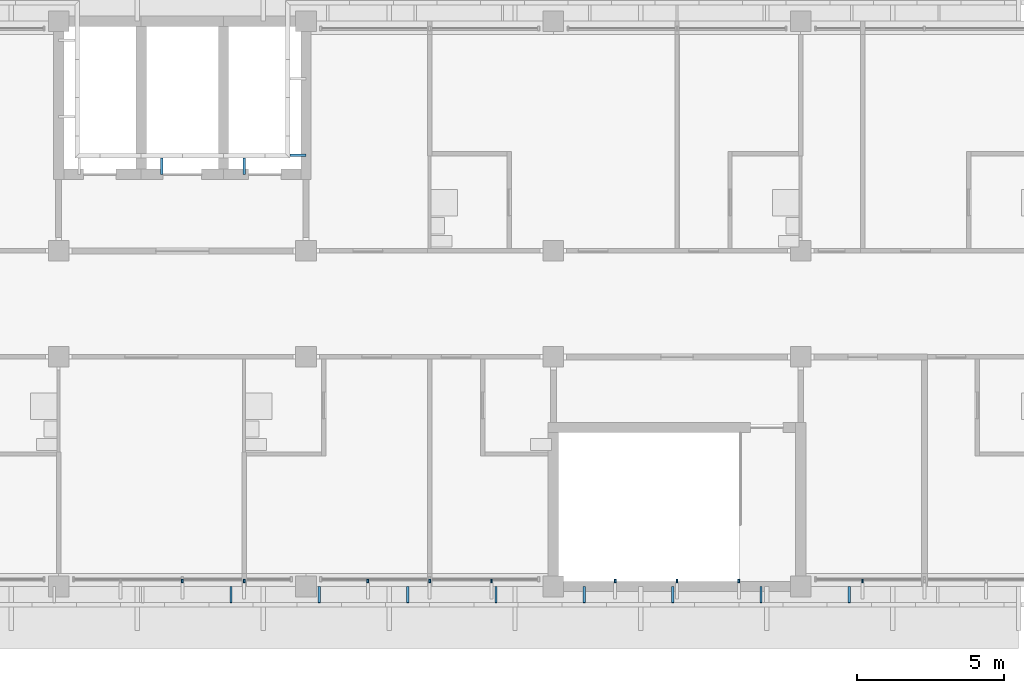
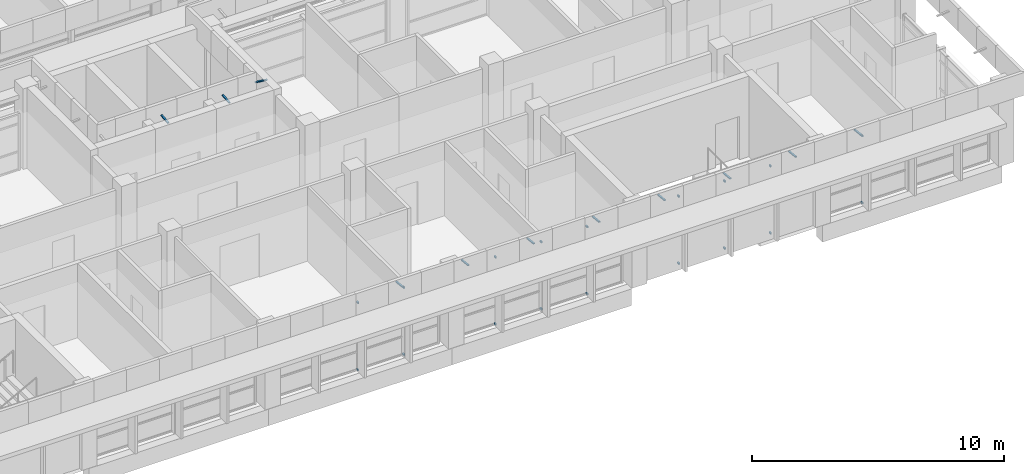
# One storey, part 53 of 71: 29 discrete accessories.
"""IFC4 building model written with IfcOpenShell, lengths in metres."""

from ifc_helpers import new_model, si_unit, direction, frame, origin, origin_2d, place, context, subcontext, project, spatial, rectangle, extrude, material, material_profile, profile_set, type_object, element, save


model = new_model("IFC4")

# Units and contexts
model_context = context("Model", 3, precision=1e-05, world=origin(), true_north=direction((0.0, 1.0)))
body_context = subcontext(model_context, "Body", "Model", "MODEL_VIEW")
ifc_project = project(units=[si_unit("LENGTHUNIT", "METRE"), si_unit("AREAUNIT", "SQUARE_METRE"), si_unit("VOLUMEUNIT", "CUBIC_METRE"), si_unit("PLANEANGLEUNIT", "RADIAN"), si_unit("MASSUNIT", "GRAM", prefix="KILO")], contexts=[model_context])

# Site, building, storey
site_placement = place(None, origin())
site = spatial("IfcSite", under=ifc_project, at=site_placement, CompositionType="ELEMENT")
building_placement = place(site_placement, origin())
building = spatial("IfcBuilding", under=site, at=building_placement, Name="Bougainvillea Quay General Hospital", CompositionType="ELEMENT")
storey_placement = place(building_placement, frame((0.0, 0.0, 24.89990234375)))
storey = spatial("IfcBuildingStorey", under=building, at=storey_placement, Name="L05", CompositionType="ELEMENT", Elevation=24.89990234375)

# Discrete accessories
ifc_material = material(Name="Stainless steel bracket, grade 316", Category="steel")
discrete_accessory_type_1 = type_object("IfcDiscreteAccessoryType", Name="Stainless steel fin arm 60x80", PredefinedType="BRACKET", material=ifc_material)
for number, where, z_axis, x_axis, name in (
    (1, (161.699951171875, 117.7900390625, 0.0), (0.0, 0.0, 1.0), (0.0, -1.0, 0.0), "Fin arm V5B L05 01.3B"),
    (2, (161.699951171875, 117.7900390625, 3.25), (0.0, 0.0, 1.0), (0.0, -1.0, 0.0), "Fin arm V5B L05 01.3T"),
    (3, (157.5, 117.7900390625, 0.0), (0.0, 0.0, 1.0), (0.0, -1.0, 0.0), "Fin arm V5B L05 01.4B"),
    (4, (157.5, 117.7900390625, 3.25), (0.0, 0.0, 1.0), (0.0, -1.0, 0.0), "Fin arm V5B L05 01.4T"),
    (5, (155.39990234375, 117.7900390625, 0.0), (0.0, 0.0, 1.0), (0.0, -1.0, 0.0), "Fin arm V5B L05 01.5B"),
    (6, (155.39990234375, 117.7900390625, 3.25), (0.0, 0.0, 1.0), (0.0, -1.0, 0.0), "Fin arm V5B L05 01.5T"),
    (7, (153.300048828125, 117.7900390625, 0.0), (0.0, 0.0, 1.0), (0.0, -1.0, 0.0), "Fin arm V5B L05 01.6B"),
    (8, (153.300048828125, 117.7900390625, 3.25), (0.0, 0.0, 1.0), (0.0, -1.0, 0.0), "Fin arm V5B L05 01.6T"),
    (9, (149.10009765625, 117.7900390625, 0.0), (0.0, 0.0, 1.0), (0.0, -1.0, 0.0), "Fin arm V5B L05 01.7B"),
    (10, (149.10009765625, 117.7900390625, 3.25), (0.0, 0.0, 1.0), (0.0, -1.0, 0.0), "Fin arm V5B L05 01.7T"),
    (11, (147.0, 117.7900390625, 0.0), (0.0, 0.0, 1.0), (0.0, -1.0, 0.0), "Fin arm V5B L05 01.8B"),
    (12, (147.0, 117.7900390625, 3.25), (0.0, 0.0, 1.0), (0.0, -1.0, 0.0), "Fin arm V5B L05 01.8T"),
    (13, (144.89990234375, 117.7900390625, 0.0), (0.0, 0.0, 1.0), (0.0, -1.0, 0.0), "Fin arm V5B L05 01.9B"),
    (14, (144.89990234375, 117.7900390625, 3.25), (0.0, 0.0, 1.0), (0.0, -1.0, 0.0), "Fin arm V5B L05 01.9T"),
    (15, (140.699951171875, 117.7900390625, 0.0), (0.0, 0.0, 1.0), (0.0, -1.0, 0.0), "Fin arm V5B L05 01.10B"),
    (16, (140.699951171875, 117.7900390625, 3.25), (0.0, 0.0, 1.0), (0.0, -1.0, 0.0), "Fin arm V5B L05 01.10T"),
    (17, (138.60009765625, 117.7900390625, 0.0), (0.0, 0.0, 1.0), (0.0, -1.0, 0.0), "Fin arm V5B L05 01.11B"),
    (18, (138.60009765625, 117.7900390625, 3.25), (0.0, 0.0, 1.0), (0.0, -1.0, 0.0), "Fin arm V5B L05 01.11T"),
):
    element("IfcDiscreteAccessory", number, at=place(storey_placement, frame(where, z_axis=z_axis, x_axis=x_axis)), inside=storey, type_object=discrete_accessory_type_1, Name=name, PredefinedType="BRACKET", context=body_context, shape_type="SweptSolid", body=[
        extrude(rectangle(XDim=0.1201171875, YDim=0.06005859375, at=origin_2d()), origin(), (0.0, 0.0, 1.0), 0.080078125),
    ])
ifc_material_profile = material_profile(ifc_material, rectangle(XDim=0.080078125, YDim=0.050048828125, at=origin_2d()))
ifc_profile_set = profile_set([ifc_material_profile], Name="Stainless steel bracket, grade 316")
discrete_accessory_type_2 = type_object("IfcDiscreteAccessoryType", Name="Stainless steel stand-off bracket 80x50", PredefinedType="BRACKET", material=ifc_profile_set)
for number, where, z_axis, x_axis, name in (
    (19, (140.25, 117.60009765625, 3.840087890625), (0.0, -0.994091793559, 0.108542645901), (1.0, 0.0, 0.0), "Fascia bracket e0 79"),
    (20, (143.25, 117.60009765625, 3.840087890625), (0.0, -0.994091793559, 0.108542645901), (1.0, 0.0, 0.0), "Fascia bracket e0 81"),
    (21, (146.25, 117.60009765625, 3.840087890625), (0.0, -0.994091793559, 0.108542645901), (1.0, 0.0, 0.0), "Fascia bracket e0 83"),
    (22, (149.25, 117.60009765625, 3.840087890625), (0.0, -0.994091793559, 0.108542645901), (1.0, 0.0, 0.0), "Fascia bracket e0 85"),
    (23, (152.25, 117.60009765625, 3.840087890625), (0.0, -0.994091793559, 0.108542645901), (1.0, 0.0, 0.0), "Fascia bracket e0 87"),
    (24, (155.25, 117.60009765625, 3.840087890625), (0.0, -0.994091793559, 0.108542645901), (1.0, 0.0, 0.0), "Fascia bracket e0 89"),
    (25, (158.25, 117.60009765625, 3.840087890625), (0.0, -0.994091793559, 0.108542645901), (1.0, 0.0, 0.0), "Fascia bracket e0 91"),
    (26, (161.25, 117.60009765625, 3.840087890625), (0.0, -0.994091793559, 0.108542645901), (1.0, 0.0, 0.0), "Fascia bracket e0 93"),
    (27, (142.800048828125, 132.25, 3.840087890625), (-0.994091793559, 0.0, 0.108542645901), (0.0, -1.0, 0.0), "Fascia bracket e0 131"),
):
    element("IfcDiscreteAccessory", number, at=place(storey_placement, frame(where, z_axis=z_axis, x_axis=x_axis)), inside=storey, type_object=discrete_accessory_type_2, Name=name, PredefinedType="BRACKET", context=body_context, shape_type="SweptSolid", body=[
        extrude(rectangle(XDim=0.080078125, YDim=0.050048828125, at=origin_2d()), origin(), (0.0, 0.0, 1.0), 0.55322265625),
    ])
for number, where, z_axis, x_axis, name in (
    (28, (140.699951171875, 131.60009765625, 3.840087890625), (0.0, 0.994086591779, 0.108590276011), (-1.0, 0.0, 0.0), "Fascia bracket e0 133"),
    (29, (137.89990234375, 131.60009765625, 3.840087890625), (0.0, 0.994086591779, 0.108590276011), (-1.0, 0.0, 0.0), "Fascia bracket e0 135"),
):
    element("IfcDiscreteAccessory", number, at=place(storey_placement, frame(where, z_axis=z_axis, x_axis=x_axis)), inside=storey, type_object=discrete_accessory_type_2, Name=name, PredefinedType="BRACKET", context=body_context, shape_type="SweptSolid", body=[
        extrude(rectangle(XDim=0.080078125, YDim=0.050048828125, at=origin_2d()), origin(), (0.0, 0.0, 1.0), 0.552978515625),
    ])

save(model, "model.ifc")
